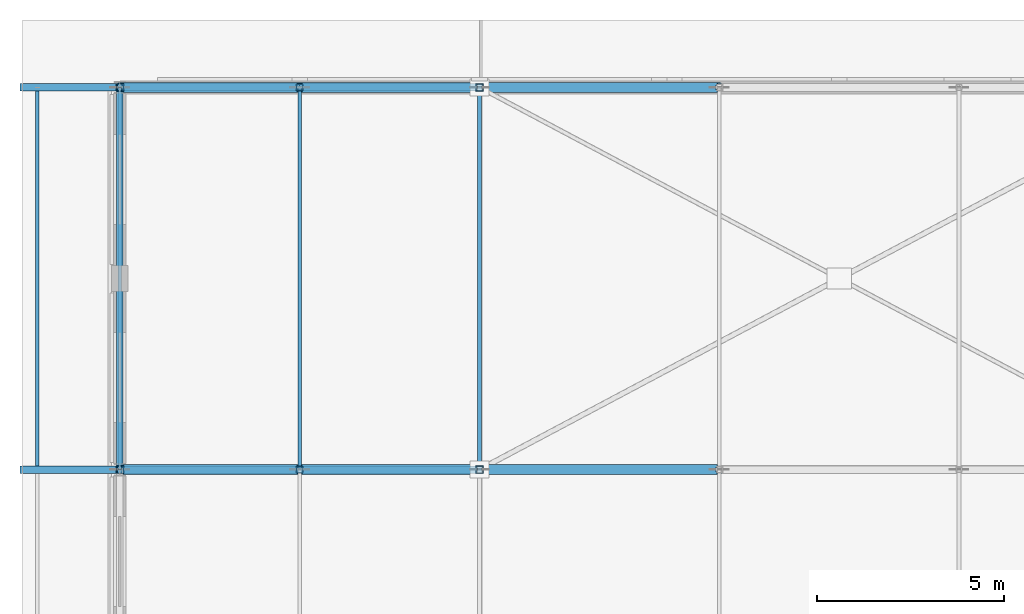
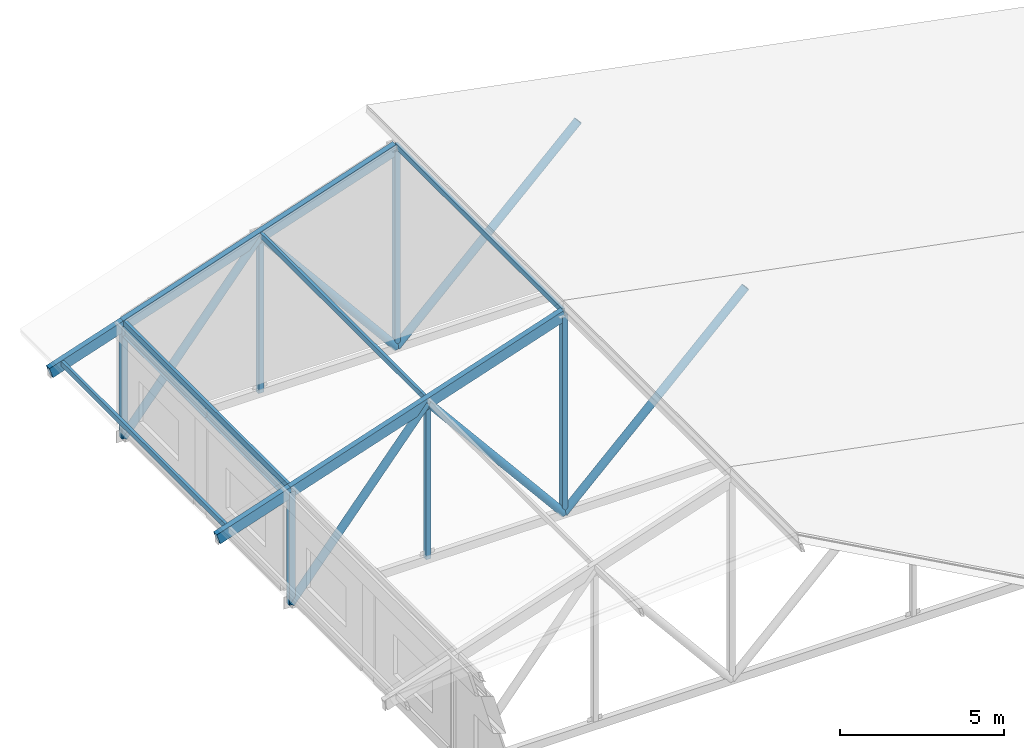
# One storey, part 69 of 200: 20 members, 2 beams.
"""IFC4 building model written with IfcOpenShell, lengths in metres."""

from ifc_helpers import new_model, si_unit, direction, frame, origin, origin_2d, place, context, subcontext, project, spatial, hollow_rectangle, hollow_circle, i_section, extrude, material, material_profile, profile_set, type_object, element, save


model = new_model("IFC4")

# Units and contexts
model_context = context("Model", 3, precision=1e-05, world=origin(), true_north=direction((0.0, 1.0)))
body_context = subcontext(model_context, "Body", "Model", "MODEL_VIEW")
ifc_project = project(units=[si_unit("LENGTHUNIT", "METRE"), si_unit("AREAUNIT", "SQUARE_METRE"), si_unit("VOLUMEUNIT", "CUBIC_METRE"), si_unit("PLANEANGLEUNIT", "RADIAN"), si_unit("MASSUNIT", "GRAM", prefix="KILO")], contexts=[model_context])

# Site, building, storey
site_placement = place(None, origin())
site = spatial("IfcSite", under=ifc_project, at=site_placement, CompositionType="ELEMENT")
building_placement = place(site_placement, origin())
building = spatial("IfcBuilding", under=site, at=building_placement, Name="Vondelvale Polytechnic", CompositionType="ELEMENT")
storey_placement = place(building_placement, frame((0.0, 0.0, 13.800048828125)))
storey = spatial("IfcBuildingStorey", under=building, at=storey_placement, Name="L03", CompositionType="ELEMENT", Elevation=13.800048828125)

# Beams
ifc_material_1 = material(Name="Steel 300PLUS (fy = 300 MPa)", Category="steel")
ifc_material_profile_1 = material_profile(ifc_material_1, i_section(OverallWidth=0.172119140625, OverallDepth=0.35888671875, WebThickness=0.008056640625, FlangeThickness=0.012939453125, FilletRadius=0.011474609375, at=origin_2d()), Name="360UB56.7")
ifc_profile_set_1 = profile_set([ifc_material_profile_1], Name="Steel 300PLUS (fy = 300 MPa)")
beam_type = type_object("IfcBeamType", Name="BM-UB360H", PredefinedType="BEAM", material=ifc_profile_set_1)
beam_1_placement = place(storey_placement, frame((0.0, 112.199951171875, 3.570556640625), z_axis=(0.0, 1.0, 0.0), x_axis=(-1.0, 0.0, 0.0)))
element("IfcBeam", 1, at=beam_1_placement, inside=storey, type_object=beam_type, Name="L03 WE B-15", PredefinedType="BEAM", context=body_context, shape_type="SweptSolid", body=[
    extrude(i_section(OverallWidth=0.172119140625, OverallDepth=0.35888671875, WebThickness=0.008056640625, FlangeThickness=0.012939453125, FilletRadius=0.011474609375, at=origin_2d()), origin(), (0.0, 0.0, 1.0), 5.10009765625),
])
beam_2_placement = place(storey_placement, frame((0.0, 117.300048828125, 3.570556640625), z_axis=(0.0, 1.0, 0.0), x_axis=(-1.0, 0.0, 0.0)))
element("IfcBeam", 2, at=beam_2_placement, inside=storey, type_object=beam_type, Name="L03 WE B-15", PredefinedType="BEAM", context=body_context, shape_type="SweptSolid", body=[
    extrude(i_section(OverallWidth=0.172119140625, OverallDepth=0.35888671875, WebThickness=0.008056640625, FlangeThickness=0.012939453125, FilletRadius=0.011474609375, at=origin_2d()), origin(), (0.0, 0.0, 1.0), 5.099853515625),
])

# Members
ifc_material_2 = material(Name="Steel C350L0 (fy = 350 MPa)", Category="steel")
ifc_material_profile_2 = material_profile(ifc_material_2, hollow_rectangle(XDim=0.10009765625, YDim=0.199951171875, WallThickness=0.006103515625, at=origin_2d()), Name="200x100x6.0RHS")
ifc_profile_set_2 = profile_set([ifc_material_profile_2], Name="Steel C350L0 (fy = 350 MPa)")
member_type_1 = type_object("IfcMemberType", Name="PURLIN RHS200", PredefinedType="PURLIN", material=ifc_profile_set_2)
for number, where, z_axis, x_axis, name in (
    (3, (-2.199951171875, 112.199951171875, 3.140869140625), (0.0, 1.0, 0.0), (-1.0, 0.0, 0.0), "Workshop roof purlin bay 7"),
    (4, (0.0, 112.199951171875, 3.874267578125), (0.0, 1.0, 0.0), (-1.0, 0.0, 0.0), "Workshop roof purlin bay 7"),
    (5, (4.800048828125, 112.199951171875, 5.47412109375), (0.0, 1.0, 0.0), (-1.0, 0.0, 0.0), "Workshop roof purlin bay 7"),
    (6, (9.60009765625, 112.199951171875, 7.07421875), (0.0, 1.0, 0.0), (-1.0, 0.0, 0.0), "Workshop roof purlin bay 7"),
):
    element("IfcMember", number, at=place(storey_placement, frame(where, z_axis=z_axis, x_axis=x_axis)), inside=storey, type_object=member_type_1, Name=name, PredefinedType="PURLIN", context=body_context, shape_type="SweptSolid", body=[
        extrude(hollow_rectangle(XDim=0.10009765625, YDim=0.199951171875, WallThickness=0.006103515625, at=origin_2d()), origin(), (0.0, 0.0, 1.0), 10.199951171875),
    ])
ifc_material_profile_3 = material_profile(ifc_material_2, hollow_circle(Radius=0.136474609375, WallThickness=0.00927734375, at=origin_2d()), Name="273.1x9.3CHS")
ifc_profile_set_3 = profile_set([ifc_material_profile_3], Name="Steel C350L0 (fy = 350 MPa)")
member_type_2 = type_object("IfcMemberType", Name="ROOF TRUSS BRACE 273CHS", PredefinedType="BRACE", material=ifc_profile_set_3)
for number, where, z_axis, x_axis, name in (
    (7, (0.0, 112.199951171875, -0.420166015625), (0.6375683777, 0.0, 0.770393771884), (0.0, 1.0, 0.0), "ROOF TRUSS TR-07 web diagonal 1"),
    (8, (4.800048828125, 112.199951171875, 5.3798828125), (0.6375683777, 0.0, -0.770393771884), (0.0, 1.0, 0.0), "ROOF TRUSS TR-07 web diagonal 2"),
):
    element("IfcMember", number, at=place(storey_placement, frame(where, z_axis=z_axis, x_axis=x_axis)), inside=storey, type_object=member_type_2, Name=name, PredefinedType="BRACE", context=body_context, shape_type="SweptSolid", body=[
        extrude(hollow_circle(Radius=0.136474609375, WallThickness=0.00927734375, at=origin_2d()), origin(), (0.0, 0.0, 1.0), 7.528564453125),
    ])
member_1_placement = place(storey_placement, frame((9.60009765625, 112.199951171875, -0.420166015625), z_axis=(0.720102098263, 0.0, 0.69386812009), x_axis=(0.0, 1.0, 0.0)))
element("IfcMember", 9, at=member_1_placement, inside=storey, type_object=member_type_2, Name="ROOF TRUSS TR-07 web diagonal 3", PredefinedType="BRACE", context=body_context, shape_type="SweptSolid", body=[
    extrude(hollow_circle(Radius=0.136474609375, WallThickness=0.00927734375, at=origin_2d()), origin(), (0.0, 0.0, 1.0), 8.887451171875),
])
for number, where, z_axis, x_axis, name in (
    (10, (0.0, 122.39990234375, -0.420166015625), (0.6375683777, 0.0, 0.770393771884), (0.0, 1.0, 0.0), "ROOF TRUSS TR-08 web diagonal 1"),
    (11, (4.800048828125, 122.39990234375, 5.3798828125), (0.6375683777, 0.0, -0.770393771884), (0.0, 1.0, 0.0), "ROOF TRUSS TR-08 web diagonal 2"),
):
    element("IfcMember", number, at=place(storey_placement, frame(where, z_axis=z_axis, x_axis=x_axis)), inside=storey, type_object=member_type_2, Name=name, PredefinedType="BRACE", context=body_context, shape_type="SweptSolid", body=[
        extrude(hollow_circle(Radius=0.136474609375, WallThickness=0.00927734375, at=origin_2d()), origin(), (0.0, 0.0, 1.0), 7.528564453125),
    ])
member_2_placement = place(storey_placement, frame((9.60009765625, 122.39990234375, -0.420166015625), z_axis=(0.720102098263, 0.0, 0.69386812009), x_axis=(0.0, 1.0, 0.0)))
element("IfcMember", 12, at=member_2_placement, inside=storey, type_object=member_type_2, Name="ROOF TRUSS TR-08 web diagonal 3", PredefinedType="BRACE", context=body_context, shape_type="SweptSolid", body=[
    extrude(hollow_circle(Radius=0.136474609375, WallThickness=0.00927734375, at=origin_2d()), origin(), (0.0, 0.0, 1.0), 8.887451171875),
])
ifc_material_profile_4 = material_profile(ifc_material_2, hollow_rectangle(XDim=0.175048828125, YDim=0.175048828125, WallThickness=0.006103515625, at=origin_2d()), Name="175x175x6.0SHS")
ifc_profile_set_4 = profile_set([ifc_material_profile_4], Name="Steel C350L0 (fy = 350 MPa)")
member_type_3 = type_object("IfcMemberType", Name="ROOF TRUSS POST 175SHS", PredefinedType="POST", material=ifc_profile_set_4)
for number, where, z_axis, x_axis, name in (
    (13, (4.800048828125, 112.199951171875, -0.420166015625), (0.0, 0.0, 1.0), (1.0, 0.0, 0.0), "ROOF TRUSS TR-07 vertical post 1"),
    (14, (4.800048828125, 122.39990234375, -0.420166015625), (0.0, 0.0, 1.0), (1.0, 0.0, 0.0), "ROOF TRUSS TR-08 vertical post 1"),
):
    element("IfcMember", number, at=place(storey_placement, frame(where, z_axis=z_axis, x_axis=x_axis)), inside=storey, type_object=member_type_3, Name=name, PredefinedType="POST", context=body_context, shape_type="SweptSolid", body=[
        extrude(hollow_rectangle(XDim=0.175048828125, YDim=0.175048828125, WallThickness=0.006103515625, at=origin_2d()), origin(), (0.0, 0.0, 1.0), 5.800048828125),
    ])
ifc_material_profile_5 = material_profile(ifc_material_2, hollow_rectangle(XDim=0.199951171875, YDim=0.199951171875, WallThickness=0.009033203125, at=origin_2d()), Name="200x200x9.0SHS")
ifc_profile_set_5 = profile_set([ifc_material_profile_5], Name="Steel C350L0 (fy = 350 MPa)")
member_type_4 = type_object("IfcMemberType", Name="ROOF TRUSS POST 200SHS", PredefinedType="POST", material=ifc_profile_set_5)
member_3_placement = place(storey_placement, frame((0.0, 112.199951171875, -0.420166015625), z_axis=(0.0, 0.0, 1.0), x_axis=(1.0, 0.0, 0.0)))
element("IfcMember", 15, at=member_3_placement, inside=storey, type_object=member_type_4, Name="ROOF TRUSS TR-07 vertical post 0", PredefinedType="POST", context=body_context, shape_type="SweptSolid", body=[
    extrude(hollow_rectangle(XDim=0.199951171875, YDim=0.199951171875, WallThickness=0.009033203125, at=origin_2d()), origin(), (0.0, 0.0, 1.0), 4.2001953125),
])
member_4_placement = place(storey_placement, frame((9.60009765625, 112.199951171875, -0.420166015625), z_axis=(0.0, 0.0, 1.0), x_axis=(1.0, 0.0, 0.0)))
element("IfcMember", 16, at=member_4_placement, inside=storey, type_object=member_type_4, Name="ROOF TRUSS TR-07 vertical post 2", PredefinedType="POST", context=body_context, shape_type="SweptSolid", body=[
    extrude(hollow_rectangle(XDim=0.199951171875, YDim=0.199951171875, WallThickness=0.009033203125, at=origin_2d()), origin(), (0.0, 0.0, 1.0), 7.400146484375),
])
member_5_placement = place(storey_placement, frame((0.0, 122.39990234375, -0.420166015625), z_axis=(0.0, 0.0, 1.0), x_axis=(1.0, 0.0, 0.0)))
element("IfcMember", 17, at=member_5_placement, inside=storey, type_object=member_type_4, Name="ROOF TRUSS TR-08 vertical post 0", PredefinedType="POST", context=body_context, shape_type="SweptSolid", body=[
    extrude(hollow_rectangle(XDim=0.199951171875, YDim=0.199951171875, WallThickness=0.009033203125, at=origin_2d()), origin(), (0.0, 0.0, 1.0), 4.2001953125),
])
member_6_placement = place(storey_placement, frame((9.60009765625, 122.39990234375, -0.420166015625), z_axis=(0.0, 0.0, 1.0), x_axis=(1.0, 0.0, 0.0)))
element("IfcMember", 18, at=member_6_placement, inside=storey, type_object=member_type_4, Name="ROOF TRUSS TR-08 vertical post 2", PredefinedType="POST", context=body_context, shape_type="SweptSolid", body=[
    extrude(hollow_rectangle(XDim=0.199951171875, YDim=0.199951171875, WallThickness=0.009033203125, at=origin_2d()), origin(), (0.0, 0.0, 1.0), 7.400146484375),
])
ifc_material_profile_6 = material_profile(ifc_material_2, hollow_rectangle(XDim=0.199951171875, YDim=0.39990234375, WallThickness=0.010009765625, at=origin_2d()), Name="400x200x10.0RHS")
ifc_profile_set_6 = profile_set([ifc_material_profile_6], Name="Steel C350L0 (fy = 350 MPa)")
member_type_5 = type_object("IfcMemberType", Name="ROOF TRUSS TOP CHORD 400RHS", PredefinedType="CHORD", material=ifc_profile_set_6)
member_7_placement = place(storey_placement, frame((-2.60009765625, 112.199951171875, 2.913330078125), z_axis=(0.948683298051, 0.0, 0.316227766017), x_axis=(0.0, 1.0, 0.0)))
element("IfcMember", 19, at=member_7_placement, inside=storey, type_object=member_type_5, Name="ROOF TRUSS TR-07 top chord 1", PredefinedType="CHORD", context=body_context, shape_type="SweptSolid", body=[
    extrude(hollow_rectangle(XDim=0.199951171875, YDim=0.39990234375, WallThickness=0.010009765625, at=origin_2d()), origin(), (0.0, 0.0, 1.0), 2.74072265625),
])
member_8_placement = place(storey_placement, frame((0.0, 112.199951171875, 3.780029296875), z_axis=(0.948685710631, 0.0, 0.316220528184), x_axis=(0.0, 1.0, 0.0)))
element("IfcMember", 20, at=member_8_placement, inside=storey, type_object=member_type_5, Name="ROOF TRUSS TR-07 top chord 2", PredefinedType="CHORD", context=body_context, shape_type="SweptSolid", body=[
    extrude(hollow_rectangle(XDim=0.199951171875, YDim=0.39990234375, WallThickness=0.010009765625, at=origin_2d()), origin(), (0.0, 0.0, 1.0), 10.119384765625),
])
member_9_placement = place(storey_placement, frame((-2.60009765625, 122.39990234375, 2.913330078125), z_axis=(0.948683298051, 0.0, 0.316227766017), x_axis=(0.0, 1.0, 0.0)))
element("IfcMember", 21, at=member_9_placement, inside=storey, type_object=member_type_5, Name="ROOF TRUSS TR-08 top chord 1", PredefinedType="CHORD", context=body_context, shape_type="SweptSolid", body=[
    extrude(hollow_rectangle(XDim=0.199951171875, YDim=0.39990234375, WallThickness=0.010009765625, at=origin_2d()), origin(), (0.0, 0.0, 1.0), 2.74072265625),
])
member_10_placement = place(storey_placement, frame((0.0, 122.39990234375, 3.780029296875), z_axis=(0.948685710631, 0.0, 0.316220528184), x_axis=(0.0, 1.0, 0.0)))
element("IfcMember", 22, at=member_10_placement, inside=storey, type_object=member_type_5, Name="ROOF TRUSS TR-08 top chord 2", PredefinedType="CHORD", context=body_context, shape_type="SweptSolid", body=[
    extrude(hollow_rectangle(XDim=0.199951171875, YDim=0.39990234375, WallThickness=0.010009765625, at=origin_2d()), origin(), (0.0, 0.0, 1.0), 10.119384765625),
])

save(model, "model.ifc")
